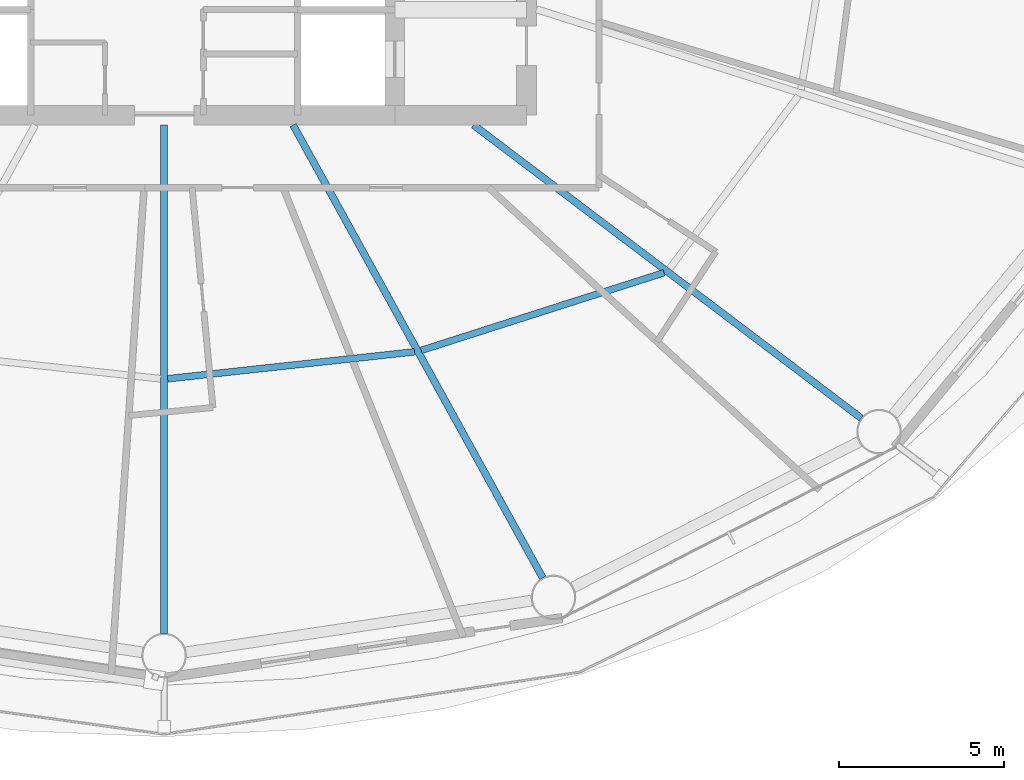
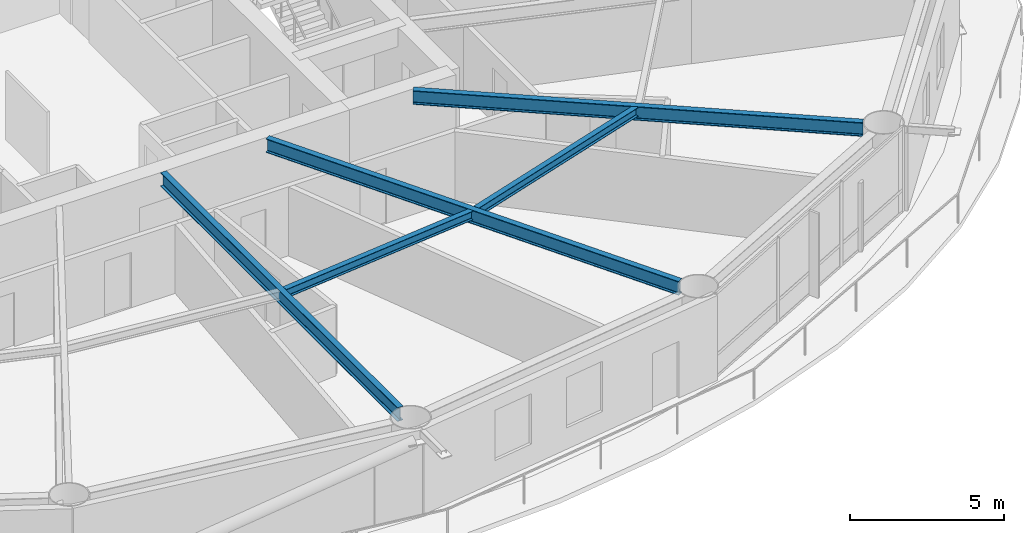
# One storey, part 7 of 26: 5 beams.
"""IFC4 building model written with IfcOpenShell, lengths in metres."""

from ifc_helpers import new_model, si_unit, direction, frame, origin, origin_2d, place, context, subcontext, project, spatial, i_section, extrude, material, material_profile, profile_set, type_object, element, save


model = new_model("IFC4")

# Units and contexts
model_context = context("Model", 3, precision=1e-05, world=origin(), true_north=direction((0.0, 1.0)))
body_context = subcontext(model_context, "Body", "Model", "MODEL_VIEW")
ifc_project = project(units=[si_unit("LENGTHUNIT", "METRE"), si_unit("AREAUNIT", "SQUARE_METRE"), si_unit("VOLUMEUNIT", "CUBIC_METRE"), si_unit("PLANEANGLEUNIT", "RADIAN"), si_unit("MASSUNIT", "GRAM", prefix="KILO")], contexts=[model_context])

# Site, building, storey
site_placement = place(None, origin())
site = spatial("IfcSite", under=ifc_project, at=site_placement, CompositionType="ELEMENT")
building_placement = place(site_placement, origin())
building = spatial("IfcBuilding", under=site, at=building_placement, Name="Sarneth Arch Tower", CompositionType="ELEMENT")
storey_placement = place(building_placement, frame((0.0, 0.0, 60.60009765625)))
storey = spatial("IfcBuildingStorey", under=building, at=storey_placement, Name="L14", CompositionType="ELEMENT", Elevation=60.60009765625)

# Beams
ifc_material_1 = material(Name="Steel S355", Category="steel")
ifc_material_profile_1 = material_profile(ifc_material_1, i_section(OverallWidth=0.2041015625, OverallDepth=0.35009765625, WebThickness=0.008544921875, FlangeThickness=0.01513671875, FilletRadius=0.014892578125, at=origin_2d()), Name="W360x72")
ifc_profile_set_1 = profile_set([ifc_material_profile_1], Name="Steel S355")
beam_type_1 = type_object("IfcBeamType", Name="BM-JOIST-360D", PredefinedType="JOIST", material=ifc_profile_set_1)
beam_1_placement = place(storey_placement, frame((48.1064453125, 27.19921875, 3.204833984375), z_axis=(0.994095251924, 0.108510967657, 0.0), x_axis=(-0.108510967657, 0.994095251924, 0.0)))
element("IfcBeam", 1, at=beam_1_placement, inside=storey, type_object=beam_type_1, Name="L14 Secondary floor joist 13", PredefinedType="JOIST", context=body_context, shape_type="SweptSolid", body=[
    extrude(i_section(OverallWidth=0.2041015625, OverallDepth=0.35009765625, WebThickness=0.008544921875, FlangeThickness=0.01513671875, FilletRadius=0.014892578125, at=origin_2d()), origin(), (0.0, 0.0, 1.0), 7.534912109375),
])
beam_2_placement = place(storey_placement, frame((55.80517578125, 28.061279296875, 3.204833984375), z_axis=(0.952436240143, 0.304737934073, 0.0), x_axis=(-0.304737934073, 0.952436240143, 0.0)))
element("IfcBeam", 2, at=beam_2_placement, inside=storey, type_object=beam_type_1, Name="L14 Secondary floor joist 14", PredefinedType="JOIST", context=body_context, shape_type="SweptSolid", body=[
    extrude(i_section(OverallWidth=0.2041015625, OverallDepth=0.35009765625, WebThickness=0.008544921875, FlangeThickness=0.01513671875, FilletRadius=0.014892578125, at=origin_2d()), origin(), (0.0, 0.0, 1.0), 7.735107421875),
])
ifc_material_2 = material(Name="Steel S355", Category="steel")
ifc_material_profile_2 = material_profile(ifc_material_2, i_section(OverallWidth=0.214111328125, OverallDepth=0.549072265625, WebThickness=0.0146484375, FlangeThickness=0.023681640625, FilletRadius=0.01806640625, at=origin_2d()), Name="W530x138")
ifc_profile_set_2 = profile_set([ifc_material_profile_2], Name="Steel S355")
beam_type_2 = type_object("IfcBeamType", Name="BM-RAD-530A", PredefinedType="BEAM", material=ifc_profile_set_2)
beam_3_placement = place(storey_placement, frame((48.0, 34.89990234375, 3.10546875), z_axis=(0.0, -1.0, 0.0), x_axis=(1.0, 0.0, 0.0)))
element("IfcBeam", 3, at=beam_3_placement, inside=storey, type_object=beam_type_2, Name="L14 Radial floor girder 13", PredefinedType="BEAM", context=body_context, shape_type="SweptSolid", body=[
    extrude(i_section(OverallWidth=0.214111328125, OverallDepth=0.549072265625, WebThickness=0.0146484375, FlangeThickness=0.023681640625, FilletRadius=0.01806640625, at=origin_2d()), origin(), (0.0, 0.0, 1.0), 15.4248046875),
])
beam_4_placement = place(storey_placement, frame((51.91455078125, 34.89990234375, 3.10546875), z_axis=(0.482837562311, -0.875709933952, 0.0), x_axis=(0.875709933952, 0.482837562311, 0.0)))
element("IfcBeam", 4, at=beam_4_placement, inside=storey, type_object=beam_type_2, Name="L14 Radial floor girder 14", PredefinedType="BEAM", context=body_context, shape_type="SweptSolid", body=[
    extrude(i_section(OverallWidth=0.214111328125, OverallDepth=0.549072265625, WebThickness=0.0146484375, FlangeThickness=0.023681640625, FilletRadius=0.01806640625, at=origin_2d()), origin(), (0.0, 0.0, 1.0), 15.693359375),
])
beam_5_placement = place(storey_placement, frame((57.390380859375, 34.89990234375, 3.10546875), z_axis=(0.797656612852, -0.603111870198, 0.0), x_axis=(0.603111870198, 0.797656612852, 0.0)))
element("IfcBeam", 5, at=beam_5_placement, inside=storey, type_object=beam_type_2, Name="L14 Radial floor girder 15", PredefinedType="BEAM", context=body_context, shape_type="SweptSolid", body=[
    extrude(i_section(OverallWidth=0.214111328125, OverallDepth=0.549072265625, WebThickness=0.0146484375, FlangeThickness=0.023681640625, FilletRadius=0.01806640625, at=origin_2d()), origin(), (0.0, 0.0, 1.0), 14.7529296875),
])

save(model, "model.ifc")
